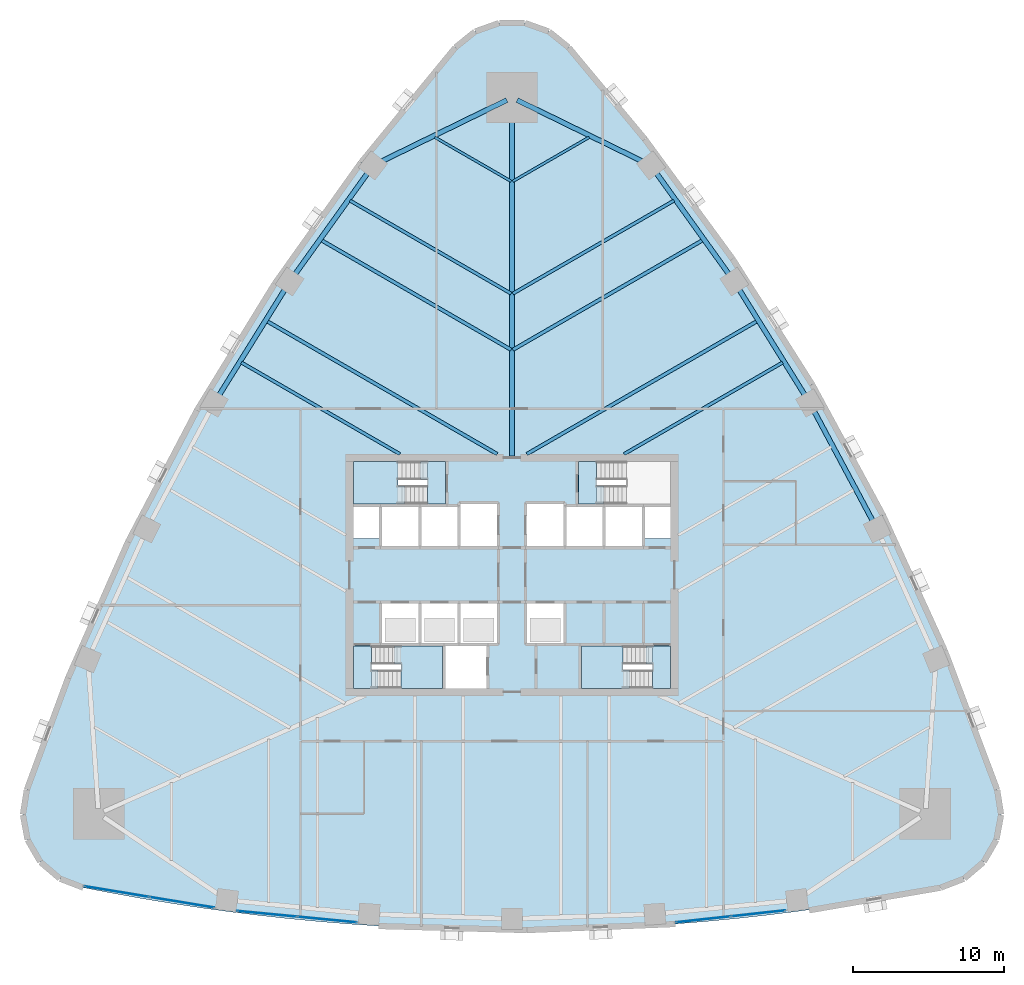
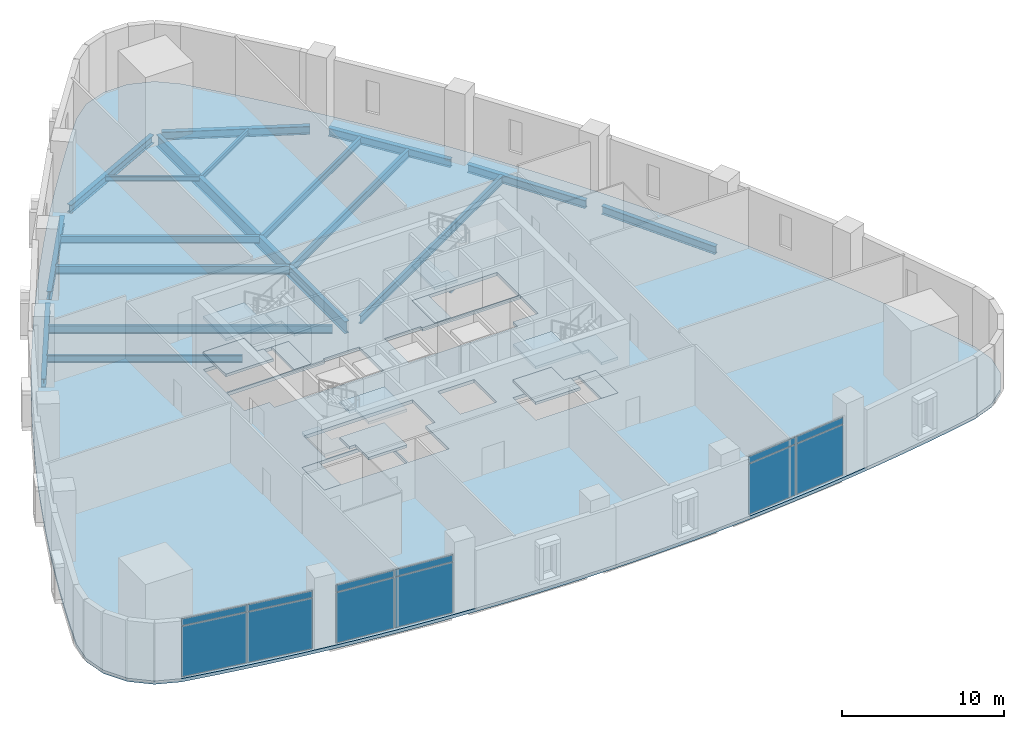
# One storey, part 5 of 14: 18 beams, 15 slabs, 12 plates, 7 elements without a shape of their own.
"""IFC4 building model written with IfcOpenShell, lengths in metres."""

from ifc_helpers import new_model, si_unit, direction, frame, origin, origin_2d, place, context, subcontext, project, spatial, polyline, rectangle, i_section, outline, extrude, material, layer, layer_set, material_profile, profile_set, type_object, element, aggregate, save


model = new_model("IFC4")

# Units and contexts
model_context = context("Model", 3, precision=1e-05, world=origin(), true_north=direction((0.0, 1.0)))
body_context = subcontext(model_context, "Body", "Model", "MODEL_VIEW")
ifc_project = project(units=[si_unit("LENGTHUNIT", "METRE"), si_unit("AREAUNIT", "SQUARE_METRE"), si_unit("VOLUMEUNIT", "CUBIC_METRE"), si_unit("PLANEANGLEUNIT", "RADIAN"), si_unit("MASSUNIT", "GRAM", prefix="KILO")], contexts=[model_context])

# Site, building, storey
site_placement = place(None, origin())
site = spatial("IfcSite", under=ifc_project, at=site_placement, CompositionType="ELEMENT")
building_placement = place(site_placement, origin())
building = spatial("IfcBuilding", under=site, at=building_placement, Name="Sierra Prisma Convention Tower", CompositionType="ELEMENT")
storey_placement = place(building_placement, frame((0.0, 0.0, 16.800048828125)))
storey = spatial("IfcBuildingStorey", under=building, at=storey_placement, Name="L02", CompositionType="ELEMENT", Elevation=16.800048828125)

# Beams
ifc_material_1 = material(Name="Steel ASTM A992 Gr 50", Category="steel")
ifc_material_profile_1 = material_profile(ifc_material_1, i_section(OverallWidth=0.172119140625, OverallDepth=0.35791015625, WebThickness=0.0078125, FlangeThickness=0.01318359375, at=origin_2d()), Name="W360x57")
ifc_profile_set_1 = profile_set([ifc_material_profile_1], Name="Steel ASTM A992 Gr 50")
beam_type_1 = type_object("IfcBeamType", Name="Floor joist W360x57", PredefinedType="JOIST", material=ifc_profile_set_1)
for number, where, z_axis, x_axis, name in (
    (1, (5.099609375, 28.95703125, -0.428955078125), (-0.866024171998, -0.500002133511, 0.0), (0.500002133511, -0.866024171998, 0.0), "Floor joist L02 NE16"),
    (2, (-5.099609375, 28.95703125, -0.428955078125), (0.866024171998, -0.500002133511, 0.0), (0.500002133511, 0.866024171998, 0.0), "Floor joist L02 NW02"),
):
    element("IfcBeam", number, at=place(storey_placement, frame(where, z_axis=z_axis, x_axis=x_axis)), inside=storey, type_object=beam_type_1, Name=name, PredefinedType="JOIST", context=body_context, shape_type="SweptSolid", body=[
        extrude(i_section(OverallWidth=0.172119140625, OverallDepth=0.35791015625, WebThickness=0.0078125, FlangeThickness=0.01318359375, at=origin_2d()), origin(), (0.0, 0.0, 1.0), 5.818359375),
    ])
ifc_material_2 = material(Name="Steel ASTM A992 Gr 50", Category="steel")
ifc_material_profile_2 = material_profile(ifc_material_2, i_section(OverallWidth=0.208984375, OverallDepth=0.532958984375, WebThickness=0.01025390625, FlangeThickness=0.015625, at=origin_2d()), Name="W530x92")
ifc_profile_set_2 = profile_set([ifc_material_profile_2], Name="Steel ASTM A992 Gr 50")
beam_type_2 = type_object("IfcBeamType", Name="Floor joist W530x92", PredefinedType="JOIST", material=ifc_profile_set_2)
beam_1_placement = place(storey_placement, frame((17.90380859375, 14.052978515625, -0.5166015625), z_axis=(-0.866021694642, -0.500006424369, 0.0), x_axis=(0.500006424369, -0.866021694642, 0.0)))
element("IfcBeam", 3, at=beam_1_placement, inside=storey, type_object=beam_type_2, Name="Floor joist L02 NE10", PredefinedType="JOIST", context=body_context, shape_type="SweptSolid", body=[
    extrude(i_section(OverallWidth=0.208984375, OverallDepth=0.532958984375, WebThickness=0.01025390625, FlangeThickness=0.015625, at=origin_2d()), origin(), (0.0, 0.0, 1.0), 12.105712890625),
])
for number, where, z_axis, x_axis, name in (
    (4, (10.72021484375, 24.769775390625, -0.5166015625), (-0.866031330991, -0.499989733636, 0.0), (0.499989733636, -0.866031330991, 0.0), "Floor joist L02 NE14"),
    (5, (-10.72021484375, 24.769775390625, -0.5166015625), (0.866031330991, -0.499989733636, 0.0), (0.499989733636, 0.866031330991, 0.0), "Floor joist L02 NW04"),
):
    element("IfcBeam", number, at=place(storey_placement, frame(where, z_axis=z_axis, x_axis=x_axis)), inside=storey, type_object=beam_type_2, Name=name, PredefinedType="JOIST", context=body_context, shape_type="SweptSolid", body=[
        extrude(i_section(OverallWidth=0.208984375, OverallDepth=0.532958984375, WebThickness=0.01025390625, FlangeThickness=0.015625, at=origin_2d()), origin(), (0.0, 0.0, 1.0), 12.308349609375),
    ])
beam_2_placement = place(storey_placement, frame((-17.90380859375, 14.052978515625, -0.5166015625), z_axis=(0.866021694642, -0.500006424369, 0.0), x_axis=(0.500006424369, 0.866021694642, 0.0)))
element("IfcBeam", 6, at=beam_2_placement, inside=storey, type_object=beam_type_2, Name="Floor joist L02 NW08", PredefinedType="JOIST", context=body_context, shape_type="SweptSolid", body=[
    extrude(i_section(OverallWidth=0.208984375, OverallDepth=0.532958984375, WebThickness=0.01025390625, FlangeThickness=0.015625, at=origin_2d()), origin(), (0.0, 0.0, 1.0), 12.105712890625),
])
ifc_material_3 = material(Name="Steel ASTM A992 Gr 50", Category="steel")
ifc_material_profile_3 = material_profile(ifc_material_3, i_section(OverallWidth=0.22802734375, OverallDepth=0.60302734375, WebThickness=0.010498046875, FlangeThickness=0.014892578125, at=origin_2d()), Name="W610x101")
ifc_profile_set_3 = profile_set([ifc_material_profile_3], Name="Steel ASTM A992 Gr 50")
beam_type_3 = type_object("IfcBeamType", Name="Floor joist W610x101", PredefinedType="JOIST", material=ifc_profile_set_3)
beam_3_placement = place(storey_placement, frame((16.203125, 16.787109375, -0.551513671875), z_axis=(-0.866025498715, -0.499999835575, 0.0), x_axis=(0.499999835575, -0.866025498715, 0.0)))
element("IfcBeam", 7, at=beam_3_placement, inside=storey, type_object=beam_type_3, Name="Floor joist L02 NE11", PredefinedType="JOIST", context=body_context, shape_type="SweptSolid", body=[
    extrude(i_section(OverallWidth=0.22802734375, OverallDepth=0.60302734375, WebThickness=0.010498046875, FlangeThickness=0.014892578125, at=origin_2d()), origin(), (0.0, 0.0, 1.0), 17.57421875),
])
for number, where, z_axis, x_axis, name in (
    (8, (12.60498046875, 22.14208984375, -0.551513671875), (-0.866024193569, -0.500002096149, 0.0), (0.500002096149, -0.866024193569, 0.0), "Floor joist L02 NE13"),
    (9, (-12.60498046875, 22.14208984375, -0.551513671875), (0.866024193569, -0.500002096149, 0.0), (0.500002096149, 0.866024193569, 0.0), "Floor joist L02 NW05"),
):
    element("IfcBeam", number, at=place(storey_placement, frame(where, z_axis=z_axis, x_axis=x_axis)), inside=storey, type_object=beam_type_3, Name=name, PredefinedType="JOIST", context=body_context, shape_type="SweptSolid", body=[
        extrude(i_section(OverallWidth=0.22802734375, OverallDepth=0.60302734375, WebThickness=0.010498046875, FlangeThickness=0.014892578125, at=origin_2d()), origin(), (0.0, 0.0, 1.0), 14.48486328125),
    ])
beam_4_placement = place(storey_placement, frame((-16.203125, 16.787109375, -0.551513671875), z_axis=(0.866025498715, -0.499999835575, 0.0), x_axis=(0.499999835575, 0.866025498715, 0.0)))
element("IfcBeam", 10, at=beam_4_placement, inside=storey, type_object=beam_type_3, Name="Floor joist L02 NW07", PredefinedType="JOIST", context=body_context, shape_type="SweptSolid", body=[
    extrude(i_section(OverallWidth=0.22802734375, OverallDepth=0.60302734375, WebThickness=0.010498046875, FlangeThickness=0.014892578125, at=origin_2d()), origin(), (0.0, 0.0, 1.0), 17.57421875),
])
ifc_material_4 = material(Name="Steel ASTM A992 Gr 50", Category="steel")
ifc_material_profile_4 = material_profile(ifc_material_4, i_section(OverallWidth=0.303955078125, OverallDepth=0.903076171875, WebThickness=0.01513671875, FlangeThickness=0.02001953125, at=origin_2d()), Name="W920x201")
ifc_profile_set_4 = profile_set([ifc_material_profile_4], Name="Steel ASTM A992 Gr 50")
beam_type_4 = type_object("IfcBeamType", Name="Radial girder W920x201", PredefinedType="BEAM", material=ifc_profile_set_4)
beam_5_placement = place(storey_placement, frame((0.0, 31.2470703125, -0.70166015625), z_axis=(0.0, -1.0, 0.0), x_axis=(1.0, 0.0, 0.0)))
element("IfcBeam", 11, at=beam_5_placement, inside=storey, type_object=beam_type_4, Name="Radial girder L02 N", PredefinedType="BEAM", context=body_context, shape_type="SweptSolid", body=[
    extrude(i_section(OverallWidth=0.303955078125, OverallDepth=0.903076171875, WebThickness=0.01513671875, FlangeThickness=0.02001953125, at=origin_2d()), origin(), (0.0, 0.0, 1.0), 23.3671875),
])
ifc_material_5 = material(Name="Steel ASTM A992 Gr 50", Category="steel")
ifc_material_profile_5 = material_profile(ifc_material_5, i_section(OverallWidth=0.324951171875, OverallDepth=0.615966796875, WebThickness=0.013916015625, FlangeThickness=0.021484375, at=origin_2d()), Name="W610x174")
ifc_profile_set_5 = profile_set([ifc_material_profile_5], Name="Steel ASTM A992 Gr 50")
beam_type_5 = type_object("IfcBeamType", Name="Spandrel beam W610x174", PredefinedType="BEAM", material=ifc_profile_set_5)
beam_6_placement = place(storey_placement, frame((23.884521484375, 3.54736328125, -0.55810546875), z_axis=(-0.471267929576, 0.881990101165, 0.0), x_axis=(-0.881990101165, -0.471267929576, 0.0)))
element("IfcBeam", 12, at=beam_6_placement, inside=storey, type_object=beam_type_5, Name="Spandrel L02-09", PredefinedType="BEAM", context=body_context, shape_type="SweptSolid", body=[
    extrude(i_section(OverallWidth=0.324951171875, OverallDepth=0.615966796875, WebThickness=0.013916015625, FlangeThickness=0.021484375, at=origin_2d()), origin(), (0.0, 0.0, 1.0), 8.29443359375),
])
beam_7_placement = place(storey_placement, frame((19.3955078125, 11.867919921875, -0.55810546875), z_axis=(-0.528185415417, 0.849129063771, 0.0), x_axis=(-0.849129063771, -0.528185415417, 0.0)))
element("IfcBeam", 13, at=beam_7_placement, inside=storey, type_object=beam_type_5, Name="Spandrel L02-10", PredefinedType="BEAM", context=body_context, shape_type="SweptSolid", body=[
    extrude(i_section(OverallWidth=0.324951171875, OverallDepth=0.615966796875, WebThickness=0.013916015625, FlangeThickness=0.021484375, at=origin_2d()), origin(), (0.0, 0.0, 1.0), 8.294677734375),
])
beam_8_placement = place(storey_placement, frame((14.36962890625, 19.87548828125, -0.55810546875), z_axis=(-0.582854647492, 0.812576433265, 0.0), x_axis=(-0.812576433265, -0.582854647492, 0.0)))
element("IfcBeam", 14, at=beam_8_placement, inside=storey, type_object=beam_type_5, Name="Spandrel L02-11", PredefinedType="BEAM", context=body_context, shape_type="SweptSolid", body=[
    extrude(i_section(OverallWidth=0.324951171875, OverallDepth=0.615966796875, WebThickness=0.013916015625, FlangeThickness=0.021484375, at=origin_2d()), origin(), (0.0, 0.0, 1.0), 8.294921875),
])
for number, where, z_axis, x_axis, name in (
    (15, (8.6025390625, 27.3779296875, -0.55810546875), (-0.89824258339, 0.439500012952, 0.0), (-0.439500012952, -0.89824258339, 0.0), "Spandrel L02-12"),
    (16, (-0.340087890625, 31.420654296875, -0.55810546875), (-0.89824258339, -0.439500012952, 0.0), (0.439500012952, -0.89824258339, 0.0), "Spandrel L02-13"),
):
    element("IfcBeam", number, at=place(storey_placement, frame(where, z_axis=z_axis, x_axis=x_axis)), inside=storey, type_object=beam_type_5, Name=name, PredefinedType="BEAM", context=body_context, shape_type="SweptSolid", body=[
        extrude(i_section(OverallWidth=0.324951171875, OverallDepth=0.615966796875, WebThickness=0.013916015625, FlangeThickness=0.021484375, at=origin_2d()), origin(), (0.0, 0.0, 1.0), 9.198486328125),
    ])
beam_9_placement = place(storey_placement, frame((-9.534912109375, 26.61572265625, -0.55810546875), z_axis=(-0.582854647492, -0.812576433265, 0.0), x_axis=(0.812576433265, -0.582854647492, 0.0)))
element("IfcBeam", 17, at=beam_9_placement, inside=storey, type_object=beam_type_5, Name="Spandrel L02-14", PredefinedType="BEAM", context=body_context, shape_type="SweptSolid", body=[
    extrude(i_section(OverallWidth=0.324951171875, OverallDepth=0.615966796875, WebThickness=0.013916015625, FlangeThickness=0.021484375, at=origin_2d()), origin(), (0.0, 0.0, 1.0), 8.294921875),
])
beam_10_placement = place(storey_placement, frame((-15.014404296875, 18.9111328125, -0.55810546875), z_axis=(-0.528185415417, -0.849129063771, 0.0), x_axis=(0.849129063771, -0.528185415417, 0.0)))
element("IfcBeam", 18, at=beam_10_placement, inside=storey, type_object=beam_type_5, Name="Spandrel L02-15", PredefinedType="BEAM", context=body_context, shape_type="SweptSolid", body=[
    extrude(i_section(OverallWidth=0.324951171875, OverallDepth=0.615966796875, WebThickness=0.013916015625, FlangeThickness=0.021484375, at=origin_2d()), origin(), (0.0, 0.0, 1.0), 8.294677734375),
])

# Curtain wall, plates
ifc_material_6 = material(Name="Aluminium, bronze anodised", Category="aluminium")
ifc_layer_1 = layer(ifc_material_6, 0.199951171875)
ifc_layer_set_1 = layer_set([ifc_layer_1], Name="CW-3 curtain wall")
curtain_wall_type = type_object("IfcCurtainWallType", Name="CW-3 curtain wall", PredefinedType="NOTDEFINED", material=ifc_layer_set_1)
curtain_wall_1_placement = place(storey_placement, origin())
curtain_wall_1 = element("IfcCurtainWall", 19, at=curtain_wall_1_placement, inside=storey, type_object=curtain_wall_type, Name="CW-3 curtain wall", PredefinedType="NOTDEFINED")
ifc_material_7 = material(Name="Tinted laminated glass", Category="glass")
ifc_layer_2 = layer(ifc_material_7, 0.028076171875)
ifc_layer_set_2 = layer_set([ifc_layer_2], Name="CW-3 panel 28 mm")
plate_type = type_object("IfcPlateType", Name="CW-3 panel 28 mm", PredefinedType="CURTAIN_PANEL", material=ifc_layer_set_2)
plate_1_placement = place(storey_placement, frame((-21.8408203125, -21.664794921875, 0.059814453125), z_axis=(0.0, 0.0, 1.0), x_axis=(-0.986701699891, 0.162541549863, 0.0)))
plate_1 = element("IfcPlate", 20, at=plate_1_placement, type_object=plate_type, Name="CW-3 panel 1.1", PredefinedType="CURTAIN_PANEL", context=body_context, shape_type="SweptSolid", body=[
    extrude(rectangle(XDim=4.302734375, YDim=0.028076171875, at=origin_2d()), origin(), (0.0, 0.0, 1.0), 3.81005859375),
])
plate_2_placement = place(storey_placement, frame((-21.8408203125, -21.664794921875, 3.93017578125), z_axis=(0.0, 0.0, 1.0), x_axis=(-0.986701699891, 0.162541549863, 0.0)))
plate_2 = element("IfcPlate", 21, at=plate_2_placement, type_object=plate_type, Name="CW-3 panel 1.2", PredefinedType="CURTAIN_PANEL", context=body_context, shape_type="SweptSolid", body=[
    extrude(rectangle(XDim=4.302734375, YDim=0.028076171875, at=origin_2d()), origin(), (0.0, 0.0, 1.0), 0.510009765625),
])
plate_3_placement = place(storey_placement, frame((-26.1455078125, -20.95556640625, 0.059814453125), z_axis=(0.0, 0.0, 1.0), x_axis=(-0.986701699891, 0.162541549863, 0.0)))
plate_3 = element("IfcPlate", 22, at=plate_3_placement, type_object=plate_type, Name="CW-3 panel 2.1", PredefinedType="CURTAIN_PANEL", context=body_context, shape_type="SweptSolid", body=[
    extrude(rectangle(XDim=4.302734375, YDim=0.028076171875, at=origin_2d()), origin(), (0.0, 0.0, 1.0), 3.81005859375),
])
plate_4_placement = place(storey_placement, frame((-26.1455078125, -20.95556640625, 3.93017578125), z_axis=(0.0, 0.0, 1.0), x_axis=(-0.986701699891, 0.162541549863, 0.0)))
plate_4 = element("IfcPlate", 23, at=plate_4_placement, type_object=plate_type, Name="CW-3 panel 2.2", PredefinedType="CURTAIN_PANEL", context=body_context, shape_type="SweptSolid", body=[
    extrude(rectangle(XDim=4.302734375, YDim=0.028076171875, at=origin_2d()), origin(), (0.0, 0.0, 1.0), 0.510009765625),
])
aggregate(curtain_wall_1, [plate_1, plate_2, plate_3, plate_4])

curtain_wall_2_placement = place(storey_placement, origin())
curtain_wall_2 = element("IfcCurtainWall", 24, at=curtain_wall_2_placement, inside=storey, type_object=curtain_wall_type, Name="CW-3 curtain wall", PredefinedType="NOTDEFINED")
plate_5_placement = place(storey_placement, frame((-12.22900390625, -22.8056640625, 0.059814453125), z_axis=(0.0, 0.0, 1.0), x_axis=(-0.99547012821, 0.095074832848, 0.0)))
plate_5 = element("IfcPlate", 25, at=plate_5_placement, type_object=plate_type, Name="CW-3 panel 1.1", PredefinedType="CURTAIN_PANEL", context=body_context, shape_type="SweptSolid", body=[
    extrude(rectangle(XDim=3.935791015625, YDim=0.028076171875, at=origin_2d()), origin(), (0.0, 0.0, 1.0), 3.81005859375),
])
plate_6_placement = place(storey_placement, frame((-12.22900390625, -22.8056640625, 3.93017578125), z_axis=(0.0, 0.0, 1.0), x_axis=(-0.99547012821, 0.095074832848, 0.0)))
plate_6 = element("IfcPlate", 26, at=plate_6_placement, type_object=plate_type, Name="CW-3 panel 1.2", PredefinedType="CURTAIN_PANEL", context=body_context, shape_type="SweptSolid", body=[
    extrude(rectangle(XDim=3.935791015625, YDim=0.028076171875, at=origin_2d()), origin(), (0.0, 0.0, 1.0), 0.510009765625),
])
plate_7_placement = place(storey_placement, frame((-16.20654296875, -22.42578125, 0.059814453125), z_axis=(0.0, 0.0, 1.0), x_axis=(-0.99547012821, 0.095074832848, 0.0)))
plate_7 = element("IfcPlate", 27, at=plate_7_placement, type_object=plate_type, Name="CW-3 panel 2.1", PredefinedType="CURTAIN_PANEL", context=body_context, shape_type="SweptSolid", body=[
    extrude(rectangle(XDim=3.935791015625, YDim=0.028076171875, at=origin_2d()), origin(), (0.0, 0.0, 1.0), 3.81005859375),
])
plate_8_placement = place(storey_placement, frame((-16.20654296875, -22.42578125, 3.93017578125), z_axis=(0.0, 0.0, 1.0), x_axis=(-0.99547012821, 0.095074832848, 0.0)))
plate_8 = element("IfcPlate", 28, at=plate_8_placement, type_object=plate_type, Name="CW-3 panel 2.2", PredefinedType="CURTAIN_PANEL", context=body_context, shape_type="SweptSolid", body=[
    extrude(rectangle(XDim=3.935791015625, YDim=0.028076171875, at=origin_2d()), origin(), (0.0, 0.0, 1.0), 0.510009765625),
])
aggregate(curtain_wall_2, [plate_5, plate_6, plate_7, plate_8])

curtain_wall_3_placement = place(storey_placement, origin())
curtain_wall_3 = element("IfcCurtainWall", 29, at=curtain_wall_3_placement, inside=storey, type_object=curtain_wall_type, Name="CW-3 curtain wall", PredefinedType="NOTDEFINED")
plate_9_placement = place(storey_placement, frame((16.2900390625, -22.39599609375, 0.059814453125), z_axis=(0.0, 0.0, 1.0), x_axis=(-0.994084801286, -0.10860666578, 0.0)))
plate_9 = element("IfcPlate", 30, at=plate_9_placement, type_object=plate_type, Name="CW-3 panel 1.1", PredefinedType="CURTAIN_PANEL", context=body_context, shape_type="SweptSolid", body=[
    extrude(rectangle(XDim=3.601806640625, YDim=0.028076171875, at=origin_2d()), origin(), (0.0, 0.0, 1.0), 3.81005859375),
])
plate_10_placement = place(storey_placement, frame((16.2900390625, -22.39599609375, 3.93017578125), z_axis=(0.0, 0.0, 1.0), x_axis=(-0.994084801286, -0.10860666578, 0.0)))
plate_10 = element("IfcPlate", 31, at=plate_10_placement, type_object=plate_type, Name="CW-3 panel 1.2", PredefinedType="CURTAIN_PANEL", context=body_context, shape_type="SweptSolid", body=[
    extrude(rectangle(XDim=3.601806640625, YDim=0.028076171875, at=origin_2d()), origin(), (0.0, 0.0, 1.0), 0.510009765625),
])
plate_11_placement = place(storey_placement, frame((12.64990234375, -22.793701171875, 0.059814453125), z_axis=(0.0, 0.0, 1.0), x_axis=(-0.994084801286, -0.10860666578, 0.0)))
plate_11 = element("IfcPlate", 32, at=plate_11_placement, type_object=plate_type, Name="CW-3 panel 2.1", PredefinedType="CURTAIN_PANEL", context=body_context, shape_type="SweptSolid", body=[
    extrude(rectangle(XDim=3.601806640625, YDim=0.028076171875, at=origin_2d()), origin(), (0.0, 0.0, 1.0), 3.81005859375),
])
plate_12_placement = place(storey_placement, frame((12.64990234375, -22.793701171875, 3.93017578125), z_axis=(0.0, 0.0, 1.0), x_axis=(-0.994084801286, -0.10860666578, 0.0)))
plate_12 = element("IfcPlate", 33, at=plate_12_placement, type_object=plate_type, Name="CW-3 panel 2.2", PredefinedType="CURTAIN_PANEL", context=body_context, shape_type="SweptSolid", body=[
    extrude(rectangle(XDim=3.601806640625, YDim=0.028076171875, at=origin_2d()), origin(), (0.0, 0.0, 1.0), 0.510009765625),
])
aggregate(curtain_wall_3, [plate_9, plate_10, plate_11, plate_12])

# Slab
ifc_material_8 = material(Name="Concrete C35/45", Category="concrete")
ifc_layer_3 = layer(ifc_material_8, 0.25)
ifc_layer_set_3 = layer_set([ifc_layer_3], Name="Convention floor slab 250")
slab_type_1 = type_object("IfcSlabType", Name="Convention floor slab 250", PredefinedType="FLOOR", material=ifc_layer_set_3)
slab_1_placement = place(storey_placement, frame((0.0, 0.0, -0.25)))
element("IfcSlab", 34, at=slab_1_placement, inside=storey, type_object=slab_type_1, Name="Floor slab L02 floor", PredefinedType="FLOOR", context=body_context, shape_type="SweptSolid", body=[
    extrude(outline(polyline([(-28.3349609375, -20.696533203125), (-26.403564453125, -21.06884765625), (-24.467529296875, -21.414794921875), (-22.52685546875, -21.734375), (-20.581787109375, -22.027587890625), (-18.63330078125, -22.29443359375), (-16.68115234375, -22.53466796875), (-14.725830078125, -22.748291015625), (-12.767822265625, -22.93505859375), (-10.8076171875, -23.095458984375), (-8.845458984375, -23.229248046875), (-6.88134765625, -23.336181640625), (-4.916259765625, -23.41650390625), (-2.9501953125, -23.469970703125), (-0.9833984375, -23.49658203125), (0.9833984375, -23.49658203125), (2.9501953125, -23.469970703125), (4.916259765625, -23.41650390625), (6.88134765625, -23.336181640625), (8.845458984375, -23.229248046875), (10.8076171875, -23.095458984375), (12.767822265625, -22.93505859375), (14.725830078125, -22.748291015625), (16.68115234375, -22.53466796875), (18.63330078125, -22.29443359375), (20.581787109375, -22.027587890625), (22.52685546875, -21.734375), (24.467529296875, -21.414794921875), (26.403564453125, -21.06884765625), (28.3349609375, -20.696533203125), (29.913818359375, -20.089111328125), (31.199951171875, -18.989990234375), (32.045654296875, -17.52490234375), (32.354736328125, -15.861572265625), (32.091064453125, -14.1904296875), (31.447998046875, -12.331787109375), (30.779541015625, -10.48193359375), (30.0859375, -8.6416015625), (29.367431640625, -6.810546875), (28.6240234375, -4.98974609375), (27.85595703125, -3.178955078125), (27.0634765625, -1.37890625), (26.246337890625, 0.41015625), (25.405029296875, 2.18798828125), (24.539794921875, 3.954345703125), (23.650390625, 5.70849609375), (22.7373046875, 7.45068359375), (21.800537109375, 9.18017578125), (20.84033203125, 10.896728515625), (19.85693359375, 12.60009765625), (18.8505859375, 14.289794921875), (17.821044921875, 15.9658203125), (16.76904296875, 17.62744140625), (15.6943359375, 19.27490234375), (14.597412109375, 20.907470703125), (13.478515625, 22.52490234375), (12.337646484375, 24.126953125), (11.175048828125, 25.713623046875), (9.990966796875, 27.283935546875), (8.78564453125, 28.83837890625), (7.559326171875, 30.3759765625), (6.31201171875, 31.89697265625), (5.04443359375, 33.400634765625), (3.75634765625, 34.886962890625), (2.440673828125, 35.95068359375), (0.845947265625, 36.514892578125), (-0.845947265625, 36.514892578125), (-2.440673828125, 35.95068359375), (-3.75634765625, 34.886962890625), (-5.04443359375, 33.400634765625), (-6.31201171875, 31.89697265625), (-7.559326171875, 30.3759765625), (-8.78564453125, 28.83837890625), (-9.990966796875, 27.283935546875), (-11.175048828125, 25.713623046875), (-12.337646484375, 24.126953125), (-13.478515625, 22.52490234375), (-14.597412109375, 20.907470703125), (-15.6943359375, 19.27490234375), (-16.76904296875, 17.62744140625), (-17.821044921875, 15.9658203125), (-18.8505859375, 14.289794921875), (-19.85693359375, 12.60009765625), (-20.84033203125, 10.896728515625), (-21.800537109375, 9.18017578125), (-22.7373046875, 7.45068359375), (-23.650390625, 5.70849609375), (-24.539794921875, 3.954345703125), (-25.405029296875, 2.18798828125), (-26.246337890625, 0.41015625), (-27.0634765625, -1.37890625), (-27.85595703125, -3.178955078125), (-28.6240234375, -4.98974609375), (-29.367431640625, -6.810546875), (-30.0859375, -8.6416015625), (-30.779541015625, -10.48193359375), (-31.447998046875, -12.331787109375), (-32.091064453125, -14.1904296875), (-32.354736328125, -15.861572265625), (-32.045654296875, -17.52490234375), (-31.199951171875, -18.989990234375), (-29.913818359375, -20.089111328125), (-28.3349609375, -20.696533203125)]), holes=[polyline([(-4.60009765625, -7.5), (-10.5, -7.5), (-10.5, -4.699951171875), (-4.60009765625, -4.699951171875), (-4.60009765625, -7.5)]), polyline([(-8.699951171875, -4.60009765625), (-8.699951171875, -1.800048828125), (-6.10009765625, -1.800048828125), (-3.5, -1.800048828125), (-0.89990234375, -1.800048828125), (-0.89990234375, -4.60009765625), (-1.60009765625, -4.60009765625), (-1.60009765625, -7.5), (-4.5, -7.5), (-4.5, -4.60009765625), (-6.10009765625, -4.60009765625), (-8.699951171875, -4.60009765625)]), polyline([(-10.5, 4.60009765625), (-8.699951171875, 4.60009765625), (-6.10009765625, 4.60009765625), (-3.5, 4.60009765625), (-3.5, 4.800048828125), (-0.89990234375, 4.800048828125), (-0.89990234375, 1.800048828125), (-3.5, 1.800048828125), (-6.10009765625, 1.800048828125), (-8.699951171875, 1.800048828125), (-8.699951171875, 2.39990234375), (-10.5, 2.39990234375), (-10.5, 4.60009765625)]), polyline([(-4.39990234375, 4.699951171875), (-10.5, 4.699951171875), (-10.5, 7.5), (-4.39990234375, 7.5), (-4.39990234375, 4.699951171875)]), polyline([(10.5, -7.5), (4.60009765625, -7.5), (4.60009765625, -4.699951171875), (10.5, -4.699951171875), (10.5, -7.5)]), polyline([(3.5, -4.60009765625), (0.89990234375, -4.60009765625), (0.89990234375, -1.800048828125), (3.5, -1.800048828125), (3.5, -4.60009765625)]), polyline([(10.5, 4.60009765625), (10.5, 2.39990234375), (8.699951171875, 2.39990234375), (8.699951171875, 1.800048828125), (6.10009765625, 1.800048828125), (3.5, 1.800048828125), (0.89990234375, 1.800048828125), (0.89990234375, 4.800048828125), (3.5, 4.800048828125), (3.5, 4.60009765625), (6.10009765625, 4.60009765625), (8.699951171875, 4.60009765625), (10.5, 4.60009765625)]), polyline([(4.39990234375, 4.699951171875), (4.39990234375, 7.5), (10.5, 7.5), (10.5, 4.699951171875), (4.39990234375, 4.699951171875)])]), origin(), (0.0, 0.0, 1.0), 0.25),
])

# Stair, slabs
ifc_material_9 = material(Name="Concrete C30/37", Category="concrete")
stair_type = type_object("IfcStairType", Name="Stair dog-leg 1200 RC", PredefinedType="HALF_TURN_STAIR", material=ifc_material_9)
stair_1_placement = place(storey_placement, origin())
stair_1 = element("IfcStair", 35, at=stair_1_placement, inside=storey, type_object=stair_type, Name="L02 S1", PredefinedType="HALF_TURN_STAIR")
ifc_material_10 = material(Name="Concrete C35/45", Category="concrete")
ifc_layer_4 = layer(ifc_material_10, 0.199951171875)
ifc_layer_set_4 = layer_set([ifc_layer_4], Name="Stair landing slab")
slab_type_2 = type_object("IfcSlabType", Name="Stair landing slab", PredefinedType="LANDING", material=ifc_layer_set_4)
slab_2_placement = place(storey_placement, frame((0.0, 0.0, 1.14990234375)))
slab_2 = element("IfcSlab", 36, at=slab_2_placement, type_object=slab_type_2, Name="S1 landing 1", PredefinedType="LANDING", context=body_context, shape_type="SweptSolid", body=[
    extrude(outline(polyline([(-4.60009765625, -4.699951171875), (-4.60009765625, -7.5), (-7.342041015625, -7.5), (-7.342041015625, -5.89990234375), (-7.7900390625, -5.89990234375), (-7.7900390625, -4.699951171875), (-4.60009765625, -4.699951171875)])), origin(), (0.0, 0.0, 1.0), 0.199951171875),
])
slab_3_placement = place(storey_placement, frame((0.0, 0.0, 2.5)))
slab_3 = element("IfcSlab", 37, at=slab_3_placement, type_object=slab_type_2, Name="S1 landing 2", PredefinedType="LANDING", context=body_context, shape_type="SweptSolid", body=[
    extrude(outline(polyline([(-10.5, -7.5), (-10.5, -4.699951171875), (-9.298095703125, -4.699951171875), (-9.298095703125, -6.300048828125), (-8.85009765625, -6.300048828125), (-8.85009765625, -7.5), (-10.5, -7.5)])), origin(), (0.0, 0.0, 1.0), 0.199951171875),
])
slab_4_placement = place(storey_placement, frame((0.0, 0.0, 3.849853515625)))
slab_4 = element("IfcSlab", 38, at=slab_4_placement, type_object=slab_type_2, Name="S1 landing 3", PredefinedType="LANDING", context=body_context, shape_type="SweptSolid", body=[
    extrude(outline(polyline([(-4.60009765625, -4.699951171875), (-4.60009765625, -7.5), (-7.342041015625, -7.5), (-7.342041015625, -5.89990234375), (-7.7900390625, -5.89990234375), (-7.7900390625, -4.699951171875), (-4.60009765625, -4.699951171875)])), origin(), (0.0, 0.0, 1.0), 0.2001953125),
])
aggregate(stair_1, [slab_2, slab_3, slab_4])

# Slab
slab_5_placement = place(storey_placement, frame((0.0, 0.0, -0.199951171875)))
element("IfcSlab", 39, at=slab_5_placement, inside=storey, type_object=slab_type_2, Name="S1 floor landing L02", PredefinedType="LANDING", context=body_context, shape_type="SweptSolid", body=[
    extrude(outline(polyline([(-10.5, -7.5), (-9.298095703125, -7.5), (-9.298095703125, -4.699951171875), (-10.5, -4.699951171875), (-10.5, -7.5)])), origin(), (0.0, 0.0, 1.0), 0.199951171875),
])

# Stair, slabs
stair_2_placement = place(storey_placement, origin())
stair_2 = element("IfcStair", 40, at=stair_2_placement, inside=storey, type_object=stair_type, Name="L02 S2", PredefinedType="HALF_TURN_STAIR")
slab_6_placement = place(storey_placement, frame((0.0, 0.0, 1.14990234375)))
slab_6 = element("IfcSlab", 41, at=slab_6_placement, type_object=slab_type_2, Name="S2 landing 1", PredefinedType="LANDING", context=body_context, shape_type="SweptSolid", body=[
    extrude(outline(polyline([(7.7900390625, -6.300048828125), (7.7900390625, -7.5), (4.60009765625, -7.5), (4.60009765625, -4.699951171875), (7.342041015625, -4.699951171875), (7.342041015625, -6.300048828125), (7.7900390625, -6.300048828125)])), origin(), (0.0, 0.0, 1.0), 0.199951171875),
])
slab_7_placement = place(storey_placement, frame((0.0, 0.0, 2.5)))
slab_7 = element("IfcSlab", 42, at=slab_7_placement, type_object=slab_type_2, Name="S2 landing 2", PredefinedType="LANDING", context=body_context, shape_type="SweptSolid", body=[
    extrude(outline(polyline([(10.5, -4.699951171875), (10.5, -7.5), (9.298095703125, -7.5), (9.298095703125, -5.89990234375), (8.85009765625, -5.89990234375), (8.85009765625, -4.699951171875), (10.5, -4.699951171875)])), origin(), (0.0, 0.0, 1.0), 0.199951171875),
])
slab_8_placement = place(storey_placement, frame((0.0, 0.0, 3.849853515625)))
slab_8 = element("IfcSlab", 43, at=slab_8_placement, type_object=slab_type_2, Name="S2 landing 3", PredefinedType="LANDING", context=body_context, shape_type="SweptSolid", body=[
    extrude(outline(polyline([(7.7900390625, -6.300048828125), (7.7900390625, -7.5), (4.60009765625, -7.5), (4.60009765625, -4.699951171875), (7.342041015625, -4.699951171875), (7.342041015625, -6.300048828125), (7.7900390625, -6.300048828125)])), origin(), (0.0, 0.0, 1.0), 0.2001953125),
])
aggregate(stair_2, [slab_6, slab_7, slab_8])

# Slab
slab_9_placement = place(storey_placement, frame((0.0, 0.0, -0.199951171875)))
element("IfcSlab", 44, at=slab_9_placement, inside=storey, type_object=slab_type_2, Name="S2 floor landing L02", PredefinedType="LANDING", context=body_context, shape_type="SweptSolid", body=[
    extrude(outline(polyline([(10.5, -4.699951171875), (9.298095703125, -4.699951171875), (9.298095703125, -7.5), (10.5, -7.5), (10.5, -4.699951171875)])), origin(), (0.0, 0.0, 1.0), 0.199951171875),
])

# Stair, slabs
stair_3_placement = place(storey_placement, origin())
stair_3 = element("IfcStair", 45, at=stair_3_placement, inside=storey, type_object=stair_type, Name="L02 S3", PredefinedType="HALF_TURN_STAIR")
slab_10_placement = place(storey_placement, frame((0.0, 0.0, 1.14990234375)))
slab_10 = element("IfcSlab", 46, at=slab_10_placement, type_object=slab_type_2, Name="S3 landing 1", PredefinedType="LANDING", context=body_context, shape_type="SweptSolid", body=[
    extrude(outline(polyline([(-7.110107421875, 5.89990234375), (-7.110107421875, 4.699951171875), (-10.5, 4.699951171875), (-10.5, 7.5), (-7.55810546875, 7.5), (-7.55810546875, 5.89990234375), (-7.110107421875, 5.89990234375)])), origin(), (0.0, 0.0, 1.0), 0.199951171875),
])
slab_11_placement = place(storey_placement, frame((0.0, 0.0, 2.5)))
slab_11 = element("IfcSlab", 47, at=slab_11_placement, type_object=slab_type_2, Name="S3 landing 2", PredefinedType="LANDING", context=body_context, shape_type="SweptSolid", body=[
    extrude(outline(polyline([(-4.39990234375, 7.5), (-4.39990234375, 4.699951171875), (-5.60205078125, 4.699951171875), (-5.60205078125, 6.300048828125), (-6.050048828125, 6.300048828125), (-6.050048828125, 7.5), (-4.39990234375, 7.5)])), origin(), (0.0, 0.0, 1.0), 0.199951171875),
])
slab_12_placement = place(storey_placement, frame((0.0, 0.0, 3.849853515625)))
slab_12 = element("IfcSlab", 48, at=slab_12_placement, type_object=slab_type_2, Name="S3 landing 3", PredefinedType="LANDING", context=body_context, shape_type="SweptSolid", body=[
    extrude(outline(polyline([(-7.110107421875, 5.89990234375), (-7.110107421875, 4.699951171875), (-10.5, 4.699951171875), (-10.5, 7.5), (-7.55810546875, 7.5), (-7.55810546875, 5.89990234375), (-7.110107421875, 5.89990234375)])), origin(), (0.0, 0.0, 1.0), 0.2001953125),
])
aggregate(stair_3, [slab_10, slab_11, slab_12])

# Slab
slab_13_placement = place(storey_placement, frame((0.0, 0.0, -0.199951171875)))
element("IfcSlab", 49, at=slab_13_placement, inside=storey, type_object=slab_type_2, Name="S3 floor landing L02", PredefinedType="LANDING", context=body_context, shape_type="SweptSolid", body=[
    extrude(outline(polyline([(-4.39990234375, 7.5), (-5.60205078125, 7.5), (-5.60205078125, 4.699951171875), (-4.39990234375, 4.699951171875), (-4.39990234375, 7.5)])), origin(), (0.0, 0.0, 1.0), 0.199951171875),
])

# Stair, slab
stair_4_placement = place(storey_placement, origin())
stair_4 = element("IfcStair", 50, at=stair_4_placement, inside=storey, type_object=stair_type, Name="L02 S4", PredefinedType="HALF_TURN_STAIR")
slab_14_placement = place(storey_placement, frame((0.0, 0.0, 2.5)))
slab_14 = element("IfcSlab", 51, at=slab_14_placement, type_object=slab_type_2, Name="S4 landing 2", PredefinedType="LANDING", context=body_context, shape_type="SweptSolid", body=[
    extrude(outline(polyline([(4.39990234375, 4.699951171875), (4.39990234375, 7.5), (5.60205078125, 7.5), (5.60205078125, 5.89990234375), (6.050048828125, 5.89990234375), (6.050048828125, 4.699951171875), (4.39990234375, 4.699951171875)])), origin(), (0.0, 0.0, 1.0), 0.199951171875),
])
aggregate(stair_4, [slab_14])

# Slab
slab_15_placement = place(storey_placement, frame((0.0, 0.0, -0.199951171875)))
element("IfcSlab", 52, at=slab_15_placement, inside=storey, type_object=slab_type_2, Name="S4 floor landing L02", PredefinedType="LANDING", context=body_context, shape_type="SweptSolid", body=[
    extrude(outline(polyline([(4.39990234375, 4.699951171875), (5.60205078125, 4.699951171875), (5.60205078125, 7.5), (4.39990234375, 7.5), (4.39990234375, 4.699951171875)])), origin(), (0.0, 0.0, 1.0), 0.199951171875),
])

save(model, "model.ifc")
